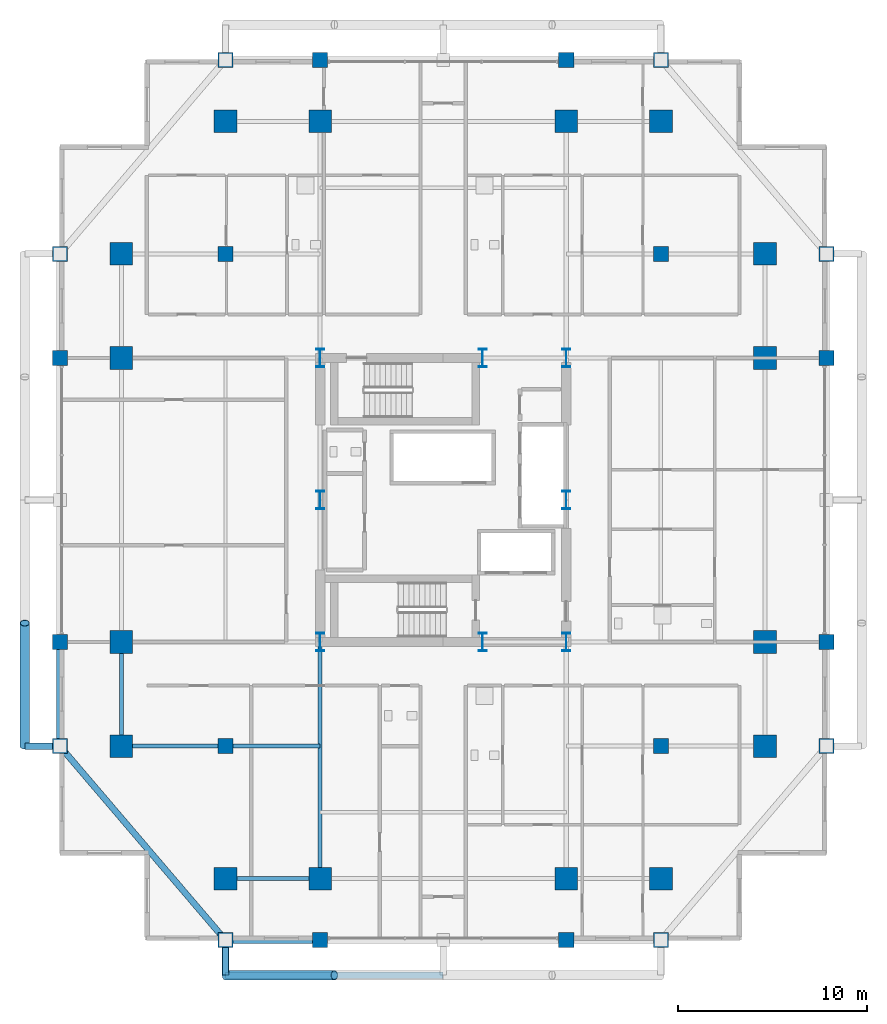
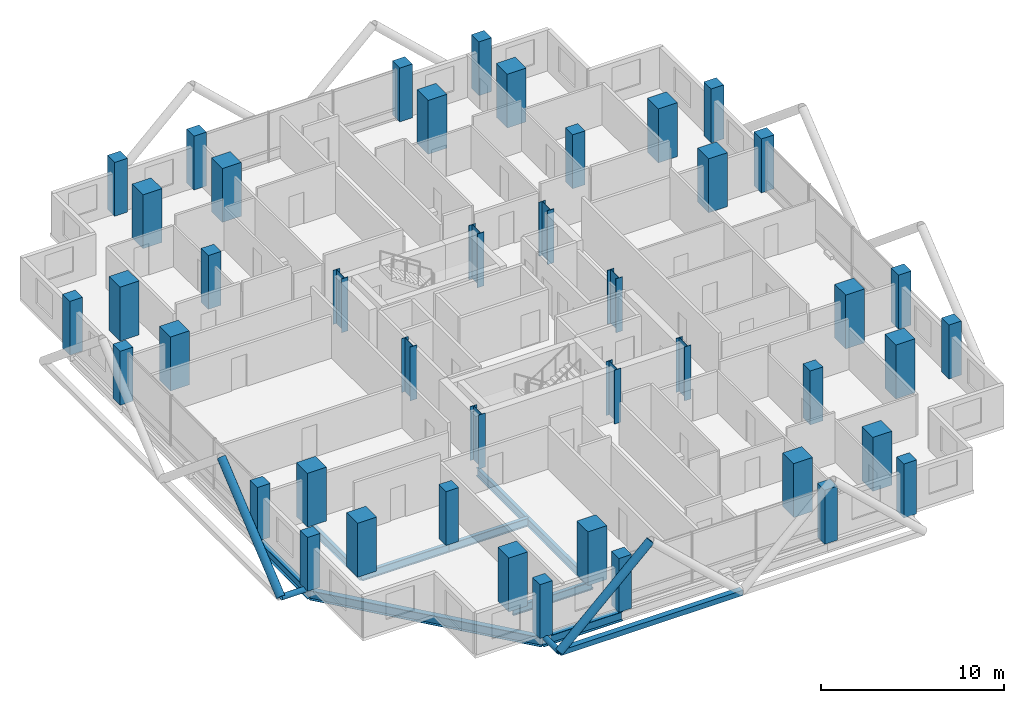
# One storey, part 1 of 25: 44 columns, 8 beams, 5 members.
"""IFC4 building model written with IfcOpenShell, lengths in metres."""

from ifc_helpers import new_model, si_unit, direction, frame, origin, origin_2d, place, context, subcontext, project, spatial, rectangle, hollow_rectangle, hollow_circle, i_section, extrude, material, material_profile, profile_set, type_object, element, save


model = new_model("IFC4")

# Units and contexts
model_context = context("Model", 3, precision=1e-05, world=origin(), true_north=direction((0.0, 1.0)))
body_context = subcontext(model_context, "Body", "Model", "MODEL_VIEW")
ifc_project = project(units=[si_unit("LENGTHUNIT", "METRE"), si_unit("AREAUNIT", "SQUARE_METRE"), si_unit("VOLUMEUNIT", "CUBIC_METRE"), si_unit("PLANEANGLEUNIT", "RADIAN"), si_unit("MASSUNIT", "GRAM", prefix="KILO")], contexts=[model_context])

# Site, building, storey
site_placement = place(None, origin())
site = spatial("IfcSite", under=ifc_project, at=site_placement, CompositionType="ELEMENT")
building_placement = place(site_placement, origin())
building = spatial("IfcBuilding", under=site, at=building_placement, Name="Barlavira Tower and Art Museum", CompositionType="ELEMENT")
storey_placement = place(building_placement, frame((0.0, 0.0, 144.0)))
storey = spatial("IfcBuildingStorey", under=building, at=storey_placement, Name="L36", CompositionType="ELEMENT", Elevation=144.0)

# Columns
ifc_material_1 = material(Name="Steel S355", Category="steel")
ifc_material_profile_1 = material_profile(ifc_material_1, i_section(OverallWidth=0.419921875, OverallDepth=0.9599609375, WebThickness=0.02197265625, FlangeThickness=0.033935546875, at=origin_2d()), Name="W920x387.0")
ifc_profile_set_1 = profile_set([ifc_material_profile_1], Name="Steel S355")
column_type_1 = type_object("IfcColumnType", Name="Core Composite Column W920x387 Steel S355", PredefinedType="COLUMN", material=ifc_profile_set_1)
for number, where, z_axis, x_axis, name in (
    (1, (-6.5, -7.5, 0.0), (0.0, 0.0, 1.0), (1.0, 0.0, 0.0), "L36 Column CC-L36-C1"),
    (2, (2.080078125, -7.5, 0.0), (0.0, 0.0, 1.0), (1.0, 0.0, 0.0), "L36 Column CC-L36-C2"),
    (3, (6.5, -7.5, 0.0), (0.0, 0.0, 1.0), (1.0, 0.0, 0.0), "L36 Column CC-L36-C3"),
    (4, (-6.5, 0.0, 0.0), (0.0, 0.0, 1.0), (1.0, 0.0, 0.0), "L36 Column CC-L36-C4"),
    (5, (6.5, 0.0, 0.0), (0.0, 0.0, 1.0), (1.0, 0.0, 0.0), "L36 Column CC-L36-C5"),
    (6, (-6.5, 7.5, 0.0), (0.0, 0.0, 1.0), (1.0, 0.0, 0.0), "L36 Column CC-L36-C6"),
    (7, (2.080078125, 7.5, 0.0), (0.0, 0.0, 1.0), (1.0, 0.0, 0.0), "L36 Column CC-L36-C7"),
    (8, (6.5, 7.5, 0.0), (0.0, 0.0, 1.0), (1.0, 0.0, 0.0), "L36 Column CC-L36-C8"),
):
    element("IfcColumn", number, at=place(storey_placement, frame(where, z_axis=z_axis, x_axis=x_axis)), inside=storey, type_object=column_type_1, Name=name, PredefinedType="COLUMN", context=body_context, shape_type="SweptSolid", body=[
        extrude(i_section(OverallWidth=0.419921875, OverallDepth=0.9599609375, WebThickness=0.02197265625, FlangeThickness=0.033935546875, at=origin_2d()), origin(), (0.0, 0.0, 1.0), 3.60009765625),
    ])
ifc_material_2 = material(Name="Concrete C60", Category="concrete")
ifc_material_profile_2 = material_profile(ifc_material_2, rectangle(XDim=1.199951171875, YDim=1.199951171875, at=origin_2d()), Name="RC-COL 1200x1200")
ifc_profile_set_2 = profile_set([ifc_material_profile_2], Name="Concrete C60")
column_type_2 = type_object("IfcColumnType", Name="Perimeter Mega Column 1200x1200 Concrete C60", PredefinedType="USERDEFINED", material=ifc_profile_set_2)
for number, where, z_axis, x_axis, name in (
    (9, (-11.5, -20.0, 0.0), (0.0, 0.0, 1.0), (1.0, 0.0, 0.0), "L36 Column MC-L36-M01"),
    (10, (-6.5, -20.0, 0.0), (0.0, 0.0, 1.0), (1.0, 0.0, 0.0), "L36 Column MC-L36-M02"),
    (11, (6.5, -20.0, 0.0), (0.0, 0.0, 1.0), (1.0, 0.0, 0.0), "L36 Column MC-L36-M03"),
    (12, (11.5, -20.0, 0.0), (0.0, 0.0, 1.0), (1.0, 0.0, 0.0), "L36 Column MC-L36-M04"),
    (13, (17.0, -13.0, 0.0), (0.0, 0.0, 1.0), (1.0, 0.0, 0.0), "L36 Column MC-L36-M05"),
    (14, (17.0, -7.5, 0.0), (0.0, 0.0, 1.0), (1.0, 0.0, 0.0), "L36 Column MC-L36-M06"),
    (15, (17.0, 7.5, 0.0), (0.0, 0.0, 1.0), (1.0, 0.0, 0.0), "L36 Column MC-L36-M07"),
    (16, (17.0, 13.0, 0.0), (0.0, 0.0, 1.0), (1.0, 0.0, 0.0), "L36 Column MC-L36-M08"),
    (17, (11.5, 20.0, 0.0), (0.0, 0.0, 1.0), (1.0, 0.0, 0.0), "L36 Column MC-L36-M09"),
    (18, (6.5, 20.0, 0.0), (0.0, 0.0, 1.0), (1.0, 0.0, 0.0), "L36 Column MC-L36-M10"),
    (19, (-6.5, 20.0, 0.0), (0.0, 0.0, 1.0), (1.0, 0.0, 0.0), "L36 Column MC-L36-M11"),
    (20, (-11.5, 20.0, 0.0), (0.0, 0.0, 1.0), (1.0, 0.0, 0.0), "L36 Column MC-L36-M12"),
    (21, (-17.0, 13.0, 0.0), (0.0, 0.0, 1.0), (1.0, 0.0, 0.0), "L36 Column MC-L36-M13"),
    (22, (-17.0, 7.5, 0.0), (0.0, 0.0, 1.0), (1.0, 0.0, 0.0), "L36 Column MC-L36-M14"),
    (23, (-17.0, -7.5, 0.0), (0.0, 0.0, 1.0), (1.0, 0.0, 0.0), "L36 Column MC-L36-M15"),
    (24, (-17.0, -13.0, 0.0), (0.0, 0.0, 1.0), (1.0, 0.0, 0.0), "L36 Column MC-L36-M16"),
):
    element("IfcColumn", number, at=place(storey_placement, frame(where, z_axis=z_axis, x_axis=x_axis)), inside=storey, type_object=column_type_2, Name=name, ObjectType="MEGA COLUMN", PredefinedType="USERDEFINED", context=body_context, shape_type="SweptSolid", body=[
        extrude(rectangle(XDim=1.199951171875, YDim=1.199951171875, at=origin_2d()), origin(), (0.0, 0.0, 1.0), 3.60009765625),
    ])
ifc_material_3 = material(Name="Concrete C50", Category="concrete")
ifc_material_profile_3 = material_profile(ifc_material_3, rectangle(XDim=0.800048828125, YDim=0.800048828125, at=origin_2d()), Name="RC-COL 800x800")
ifc_profile_set_3 = profile_set([ifc_material_profile_3], Name="Concrete C50")
column_type_3 = type_object("IfcColumnType", Name="Podium Frame Column 800x800 Concrete C50", PredefinedType="COLUMN", material=ifc_profile_set_3)
for number, where, z_axis, x_axis, name in (
    (25, (-11.5, -13.0, 0.0), (0.0, 0.0, 1.0), (1.0, 0.0, 0.0), "L36 Column CI-L36-I1"),
    (26, (11.5, -13.0, 0.0), (0.0, 0.0, 1.0), (1.0, 0.0, 0.0), "L36 Column CI-L36-I2"),
    (27, (-11.5, 13.0, 0.0), (0.0, 0.0, 1.0), (1.0, 0.0, 0.0), "L36 Column CI-L36-I3"),
    (28, (11.5, 13.0, 0.0), (0.0, 0.0, 1.0), (1.0, 0.0, 0.0), "L36 Column CI-L36-I4"),
    (29, (-11.5, -23.25, 0.0), (0.0, 0.0, 1.0), (1.0, 0.0, 0.0), "L36 Column CZ2-L36-N01"),
    (30, (-6.5, -23.25, 0.0), (0.0, 0.0, 1.0), (1.0, 0.0, 0.0), "L36 Column CZ2-L36-N02"),
    (31, (6.5, -23.25, 0.0), (0.0, 0.0, 1.0), (1.0, 0.0, 0.0), "L36 Column CZ2-L36-N02B"),
    (32, (11.5, -23.25, 0.0), (0.0, 0.0, 1.0), (1.0, 0.0, 0.0), "L36 Column CZ2-L36-N03"),
    (33, (-20.25, -13.0, 0.0), (0.0, 0.0, 1.0), (1.0, 0.0, 0.0), "L36 Column CZ2-L36-N04"),
    (34, (-20.25, -7.5, 0.0), (0.0, 0.0, 1.0), (1.0, 0.0, 0.0), "L36 Column CZ2-L36-N05"),
    (35, (-20.25, 7.5, 0.0), (0.0, 0.0, 1.0), (1.0, 0.0, 0.0), "L36 Column CZ2-L36-N05B"),
    (36, (-20.25, 13.0, 0.0), (0.0, 0.0, 1.0), (1.0, 0.0, 0.0), "L36 Column CZ2-L36-N06"),
    (37, (-11.5, 23.25, 0.0), (0.0, 0.0, 1.0), (1.0, 0.0, 0.0), "L36 Column CZ2-L36-N07"),
    (38, (-6.5, 23.25, 0.0), (0.0, 0.0, 1.0), (1.0, 0.0, 0.0), "L36 Column CZ2-L36-N08"),
    (39, (6.5, 23.25, 0.0), (0.0, 0.0, 1.0), (1.0, 0.0, 0.0), "L36 Column CZ2-L36-N08B"),
    (40, (11.5, 23.25, 0.0), (0.0, 0.0, 1.0), (1.0, 0.0, 0.0), "L36 Column CZ2-L36-N09"),
    (41, (20.25, -13.0, 0.0), (0.0, 0.0, 1.0), (1.0, 0.0, 0.0), "L36 Column CZ2-L36-N10"),
    (42, (20.25, -7.5, 0.0), (0.0, 0.0, 1.0), (1.0, 0.0, 0.0), "L36 Column CZ2-L36-N11"),
    (43, (20.25, 7.5, 0.0), (0.0, 0.0, 1.0), (1.0, 0.0, 0.0), "L36 Column CZ2-L36-N11B"),
    (44, (20.25, 13.0, 0.0), (0.0, 0.0, 1.0), (1.0, 0.0, 0.0), "L36 Column CZ2-L36-N12"),
):
    element("IfcColumn", number, at=place(storey_placement, frame(where, z_axis=z_axis, x_axis=x_axis)), inside=storey, type_object=column_type_3, Name=name, PredefinedType="COLUMN", context=body_context, shape_type="SweptSolid", body=[
        extrude(rectangle(XDim=0.800048828125, YDim=0.800048828125, at=origin_2d()), origin(), (0.0, 0.0, 1.0), 3.60009765625),
    ])

# Members
ifc_material_profile_4 = material_profile(ifc_material_1, hollow_circle(Radius=0.25390625, WallThickness=0.022216796875, at=origin_2d()), Name="CHS 508.0x22.2")
ifc_profile_set_4 = profile_set([ifc_material_profile_4], Name="Steel S355")
member_type_1 = type_object("IfcMemberType", Name="Pale-Metal Exoskeleton Diagrid Tube CHS 508x22 Steel S355", PredefinedType="BRACE", material=ifc_profile_set_4)
member_1_placement = place(storey_placement, frame((-11.5, -25.10009765625, -0.1201171875), z_axis=(0.728934650808, 0.0, 0.684583285548), x_axis=(0.0, 1.0, 0.0)))
element("IfcMember", 45, at=member_1_placement, inside=storey, type_object=member_type_1, Name="L36 Exoskeleton Diagrid Tube S", PredefinedType="BRACE", context=body_context, shape_type="SweptSolid", body=[
    extrude(hollow_circle(Radius=0.25390625, WallThickness=0.022216796875, at=origin_2d()), origin(), (0.0, 0.0, 1.0), 7.88818359375),
])
member_2_placement = place(storey_placement, frame((-22.10009765625, -13.0, -0.1201171875), z_axis=(0.0, 0.76918185268, 0.639029950399), x_axis=(-1.0, 0.0, 0.0)))
element("IfcMember", 46, at=member_2_placement, inside=storey, type_object=member_type_1, Name="L36 Exoskeleton Diagrid Tube W", PredefinedType="BRACE", context=body_context, shape_type="SweptSolid", body=[
    extrude(hollow_circle(Radius=0.25390625, WallThickness=0.022216796875, at=origin_2d()), origin(), (0.0, 0.0, 1.0), 8.450439453125),
])
ifc_material_profile_5 = material_profile(ifc_material_1, hollow_rectangle(XDim=0.35009765625, YDim=0.35009765625, WallThickness=0.02001953125, at=origin_2d()), Name="SHS 350x350x20.0")
ifc_profile_set_5 = profile_set([ifc_material_profile_5], Name="Steel S355")
member_type_2 = type_object("IfcMemberType", Name="Pale-Metal Exoskeleton Ring Strut SHS 350x350x20 Steel S355", PredefinedType="STRUT", material=ifc_profile_set_5)
member_3_placement = place(storey_placement, frame((-11.5, -25.10009765625, -0.1201171875), z_axis=(1.0, 0.0, 0.0), x_axis=(0.0, 1.0, 0.0)))
element("IfcMember", 47, at=member_3_placement, inside=storey, type_object=member_type_2, Name="L36 Exoskeleton Ring Strut S", PredefinedType="STRUT", context=body_context, shape_type="SweptSolid", body=[
    extrude(hollow_rectangle(XDim=0.35009765625, YDim=0.35009765625, WallThickness=0.02001953125, at=origin_2d()), origin(), (0.0, 0.0, 1.0), 11.5),
])
ifc_material_profile_6 = material_profile(ifc_material_1, hollow_circle(Radius=0.177734375, WallThickness=0.01611328125, at=origin_2d()), Name="CHS 355.6x16.0")
ifc_profile_set_6 = profile_set([ifc_material_profile_6], Name="Steel S355")
member_type_3 = type_object("IfcMemberType", Name="Pale-Metal Exoskeleton Tie Strut CHS 356x16 Steel S355", PredefinedType="STRUT", material=ifc_profile_set_6)
for number, where, z_axis, x_axis, name in (
    (48, (-11.5, -25.10009765625, -0.1201171875), (0.0, 1.0, 0.0), (-1.0, 0.0, 0.0), "L36 Exoskeleton Tie Strut S1"),
    (49, (-22.10009765625, -13.0, -0.1201171875), (1.0, 0.0, 0.0), (0.0, 1.0, 0.0), "L36 Exoskeleton Tie Strut W1"),
):
    element("IfcMember", number, at=place(storey_placement, frame(where, z_axis=z_axis, x_axis=x_axis)), inside=storey, type_object=member_type_3, Name=name, PredefinedType="STRUT", context=body_context, shape_type="SweptSolid", body=[
        extrude(hollow_circle(Radius=0.177734375, WallThickness=0.01611328125, at=origin_2d()), origin(), (0.0, 0.0, 1.0), 1.85009765625),
    ])

# Beams
ifc_material_profile_7 = material_profile(ifc_material_1, i_section(OverallWidth=0.327880859375, OverallDepth=0.62890625, WebThickness=0.013916015625, FlangeThickness=0.021484375, at=origin_2d()), Name="W610x174.0")
ifc_profile_set_7 = profile_set([ifc_material_profile_7], Name="Steel S355")
beam_type_1 = type_object("IfcBeamType", Name="Perimeter Spandrel Edge Beam W610x174 Steel S355", PredefinedType="SPANDREL", material=ifc_profile_set_7)
beam_1_placement = place(storey_placement, frame((-11.5, -23.25, -0.534423828125), z_axis=(1.0, 0.0, 0.0), x_axis=(0.0, 1.0, 0.0)))
element("IfcBeam", 50, at=beam_1_placement, inside=storey, type_object=beam_type_1, Name="L36 Spandrel 1", PredefinedType="SPANDREL", context=body_context, shape_type="SweptSolid", body=[
    extrude(i_section(OverallWidth=0.327880859375, OverallDepth=0.62890625, WebThickness=0.013916015625, FlangeThickness=0.021484375, at=origin_2d()), origin(), (0.0, 0.0, 1.0), 5.0),
])
beam_2_placement = place(storey_placement, frame((-20.25, -13.0, -0.534423828125), z_axis=(0.0, 1.0, 0.0), x_axis=(-1.0, 0.0, 0.0)))
element("IfcBeam", 51, at=beam_2_placement, inside=storey, type_object=beam_type_1, Name="L36 Spandrel 15", PredefinedType="SPANDREL", context=body_context, shape_type="SweptSolid", body=[
    extrude(i_section(OverallWidth=0.327880859375, OverallDepth=0.62890625, WebThickness=0.013916015625, FlangeThickness=0.021484375, at=origin_2d()), origin(), (0.0, 0.0, 1.0), 5.5),
])
beam_3_placement = place(storey_placement, frame((-20.25, -13.0, -0.534423828125), z_axis=(0.649262379928, -0.760564502202, 0.0), x_axis=(0.760564502202, 0.649262379928, 0.0)))
element("IfcBeam", 52, at=beam_3_placement, inside=storey, type_object=beam_type_1, Name="L36 Spandrel 16", PredefinedType="SPANDREL", context=body_context, shape_type="SweptSolid", body=[
    extrude(i_section(OverallWidth=0.327880859375, OverallDepth=0.62890625, WebThickness=0.013916015625, FlangeThickness=0.021484375, at=origin_2d()), origin(), (0.0, 0.0, 1.0), 13.476806640625),
])
ifc_material_profile_8 = material_profile(ifc_material_1, i_section(OverallWidth=0.214111328125, OverallDepth=0.549072265625, WebThickness=0.0146484375, FlangeThickness=0.023681640625, at=origin_2d()), Name="W530x138.0")
ifc_profile_set_8 = profile_set([ifc_material_profile_8], Name="Steel S355")
beam_type_2 = type_object("IfcBeamType", Name="Zone 1 Primary Floor Girder W530x138 Steel S355", PredefinedType="BEAM", material=ifc_profile_set_8)
beam_4_placement = place(storey_placement, frame((-11.5, -20.0, -0.494384765625), z_axis=(1.0, 0.0, 0.0), x_axis=(0.0, 1.0, 0.0)))
element("IfcBeam", 53, at=beam_4_placement, inside=storey, type_object=beam_type_2, Name="L36 Girder M-S1", PredefinedType="BEAM", context=body_context, shape_type="SweptSolid", body=[
    extrude(i_section(OverallWidth=0.214111328125, OverallDepth=0.549072265625, WebThickness=0.0146484375, FlangeThickness=0.023681640625, at=origin_2d()), origin(), (0.0, 0.0, 1.0), 5.0),
])
beam_5_placement = place(storey_placement, frame((-17.0, -13.0, -0.494384765625), z_axis=(0.0, 1.0, 0.0), x_axis=(-1.0, 0.0, 0.0)))
element("IfcBeam", 54, at=beam_5_placement, inside=storey, type_object=beam_type_2, Name="L36 Girder M-W1", PredefinedType="BEAM", context=body_context, shape_type="SweptSolid", body=[
    extrude(i_section(OverallWidth=0.214111328125, OverallDepth=0.549072265625, WebThickness=0.0146484375, FlangeThickness=0.023681640625, at=origin_2d()), origin(), (0.0, 0.0, 1.0), 5.5),
])
beam_6_placement = place(storey_placement, frame((-6.5, -20.0, -0.494384765625), z_axis=(0.0, 1.0, 0.0), x_axis=(-1.0, 0.0, 0.0)))
element("IfcBeam", 55, at=beam_6_placement, inside=storey, type_object=beam_type_2, Name="L36 Girder R-S1", PredefinedType="BEAM", context=body_context, shape_type="SweptSolid", body=[
    extrude(i_section(OverallWidth=0.214111328125, OverallDepth=0.549072265625, WebThickness=0.0146484375, FlangeThickness=0.023681640625, at=origin_2d()), origin(), (0.0, 0.0, 1.0), 12.5),
])
beam_7_placement = place(storey_placement, frame((-17.0, -13.0, -0.494384765625), z_axis=(1.0, 0.0, 0.0), x_axis=(0.0, 1.0, 0.0)))
element("IfcBeam", 56, at=beam_7_placement, inside=storey, type_object=beam_type_2, Name="L36 Girder I-S1", PredefinedType="BEAM", context=body_context, shape_type="SweptSolid", body=[
    extrude(i_section(OverallWidth=0.214111328125, OverallDepth=0.549072265625, WebThickness=0.0146484375, FlangeThickness=0.023681640625, at=origin_2d()), origin(), (0.0, 0.0, 1.0), 5.5),
])
beam_8_placement = place(storey_placement, frame((-11.5, -13.0, -0.494384765625), z_axis=(1.0, 0.0, 0.0), x_axis=(0.0, 1.0, 0.0)))
element("IfcBeam", 57, at=beam_8_placement, inside=storey, type_object=beam_type_2, Name="L36 Girder I-S2", PredefinedType="BEAM", context=body_context, shape_type="SweptSolid", body=[
    extrude(i_section(OverallWidth=0.214111328125, OverallDepth=0.549072265625, WebThickness=0.0146484375, FlangeThickness=0.023681640625, at=origin_2d()), origin(), (0.0, 0.0, 1.0), 5.0),
])

save(model, "model.ifc")
